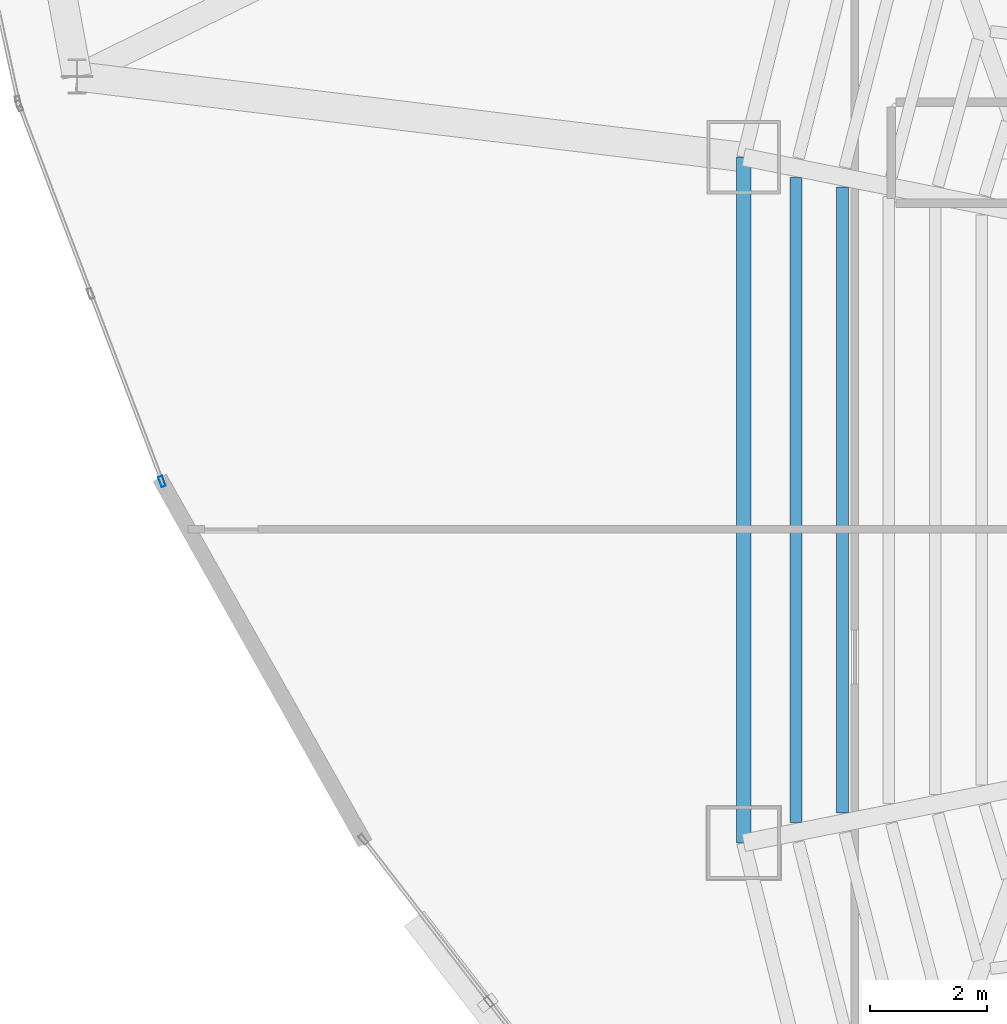
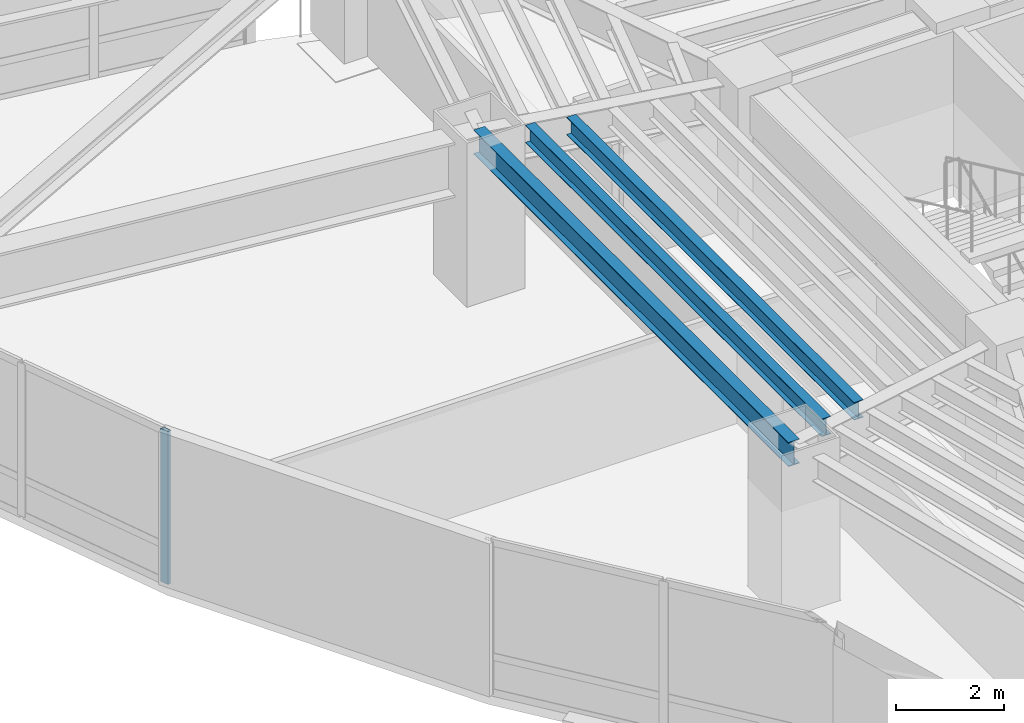
# One storey, part 4 of 23: 3 beams, 1 member, 1 element without a shape of its own.
"""IFC4 building model written with IfcOpenShell, lengths in metres."""

from ifc_helpers import new_model, si_unit, direction, frame, origin, origin_2d, place, context, subcontext, project, spatial, hollow_rectangle, i_section, extrude, material, layer, layer_set, material_profile, profile_set, type_object, element, aggregate, save


model = new_model("IFC4")

# Units and contexts
model_context = context("Model", 3, precision=1e-05, world=origin(), true_north=direction((0.0, 1.0)))
body_context = subcontext(model_context, "Body", "Model", "MODEL_VIEW")
ifc_project = project(units=[si_unit("LENGTHUNIT", "METRE"), si_unit("AREAUNIT", "SQUARE_METRE"), si_unit("VOLUMEUNIT", "CUBIC_METRE"), si_unit("PLANEANGLEUNIT", "RADIAN"), si_unit("MASSUNIT", "GRAM", prefix="KILO")], contexts=[model_context])

# Site, building, storey
site_placement = place(None, origin())
site = spatial("IfcSite", under=ifc_project, at=site_placement, CompositionType="ELEMENT")
building_placement = place(site_placement, origin())
building = spatial("IfcBuilding", under=site, at=building_placement, Name="Menara Vayukalpa", CompositionType="ELEMENT")
storey_placement = place(building_placement, frame((0.0, 0.0, 103.97998046875)))
storey = spatial("IfcBuildingStorey", under=building, at=storey_placement, Name="L25", CompositionType="ELEMENT", Elevation=103.97998046875)

# Beams
ifc_material_1 = material(Name="Steel S355", Category="steel")
ifc_material_profile_1 = material_profile(ifc_material_1, i_section(OverallWidth=0.199951171875, OverallDepth=0.39990234375, WebThickness=0.008056640625, FlangeThickness=0.012939453125, at=origin_2d()), Name="WF 400x200x8x13")
ifc_profile_set_1 = profile_set([ifc_material_profile_1], Name="Steel S355")
beam_type_1 = type_object("IfcBeamType", Name="BM-SJ2", PredefinedType="JOIST", material=ifc_profile_set_1)
beam_1_placement = place(storey_placement, frame((14.2890625, 27.3369140625, 3.27001953125), z_axis=(0.0, -1.0, 0.0), x_axis=(1.0, 0.0, 0.0)))
element("IfcBeam", 1, at=beam_1_placement, inside=storey, type_object=beam_type_1, Name="L25 Secondary Floor Joist SJ05-4", PredefinedType="JOIST", context=body_context, shape_type="SweptSolid", body=[
    extrude(i_section(OverallWidth=0.199951171875, OverallDepth=0.39990234375, WebThickness=0.008056640625, FlangeThickness=0.012939453125, at=origin_2d()), origin(), (0.0, 0.0, 1.0), 10.673828125),
])
beam_2_placement = place(storey_placement, frame((13.497314453125, 27.496337890625, 3.27001953125), z_axis=(0.0, -1.0, 0.0), x_axis=(1.0, 0.0, 0.0)))
element("IfcBeam", 2, at=beam_2_placement, inside=storey, type_object=beam_type_1, Name="L25 Secondary Floor Joist SJ05-5", PredefinedType="JOIST", context=body_context, shape_type="SweptSolid", body=[
    extrude(i_section(OverallWidth=0.199951171875, OverallDepth=0.39990234375, WebThickness=0.008056640625, FlangeThickness=0.012939453125, at=origin_2d()), origin(), (0.0, 0.0, 1.0), 10.99267578125),
])
ifc_material_2 = material(Name="Steel S355", Category="steel")
ifc_material_profile_2 = material_profile(ifc_material_2, i_section(OverallWidth=0.239990234375, OverallDepth=0.550048828125, WebThickness=0.010986328125, FlangeThickness=0.01904296875, at=origin_2d()), Name="WF 550x240x11x19")
ifc_profile_set_2 = profile_set([ifc_material_profile_2], Name="Steel S355")
beam_type_2 = type_object("IfcBeamType", Name="BM-SP2", PredefinedType="SPANDREL", material=ifc_profile_set_2)
beam_3_placement = place(storey_placement, frame((12.606689453125, 27.845703125, 3.195068359375), z_axis=(0.0, -1.0, 0.0), x_axis=(1.0, 0.0, 0.0)))
element("IfcBeam", 3, at=beam_3_placement, inside=storey, type_object=beam_type_2, Name="L25 Perimeter Spandrel Beam SP05", PredefinedType="SPANDREL", context=body_context, shape_type="SweptSolid", body=[
    extrude(i_section(OverallWidth=0.239990234375, OverallDepth=0.550048828125, WebThickness=0.010986328125, FlangeThickness=0.01904296875, at=origin_2d()), origin(), (0.0, 0.0, 1.0), 11.69140625),
])

# Curtain wall, member
ifc_material_3 = material(Name="Anodised Terracotta Aluminium Alloy 6063-T6", Category="masonry")
ifc_layer = layer(ifc_material_3, 0.179931640625)
ifc_layer_set = layer_set([ifc_layer], Name="Anodised Terracotta Aluminium Alloy 6063-T6")
curtain_wall_type = type_object("IfcCurtainWallType", Name="CW-CW4", PredefinedType="USERDEFINED", material=ifc_layer_set)
curtain_wall_placement = place(storey_placement, origin())
curtain_wall = element("IfcCurtainWall", 4, at=curtain_wall_placement, inside=storey, type_object=curtain_wall_type, Name="L25 Sky Bar Cantilever Glazed Curtain Wall CW4 11", ObjectType="UNITISED", PredefinedType="USERDEFINED")
ifc_material_4 = material(Name="Anodised Terracotta Aluminium Alloy 6063-T6", Category="masonry")
ifc_material_profile_3 = material_profile(ifc_material_4, hollow_rectangle(XDim=0.074951171875, YDim=0.179931640625, WallThickness=0.00390625, at=origin_2d()), Name="ALU 75x180x4")
ifc_profile_set_3 = profile_set([ifc_material_profile_3], Name="Anodised Terracotta Aluminium Alloy 6063-T6")
member_type = type_object("IfcMemberType", Name="CWM-CW4", PredefinedType="MULLION", material=ifc_profile_set_3)
member_placement = place(storey_placement, frame((2.6875, 22.315673828125, 0.0), z_axis=(0.0, 0.0, 1.0), x_axis=(0.934964177732, 0.354742140657, 0.0)))
member = element("IfcMember", 5, at=member_placement, type_object=member_type, Name="CW4 mullion 3", PredefinedType="MULLION", context=body_context, shape_type="SweptSolid", body=[
    extrude(hollow_rectangle(XDim=0.074951171875, YDim=0.179931640625, WallThickness=0.00390625, at=origin_2d()), origin(), (0.0, 0.0, 1.0), 3.469970703125),
])
aggregate(curtain_wall, [member])

save(model, "model.ifc")
